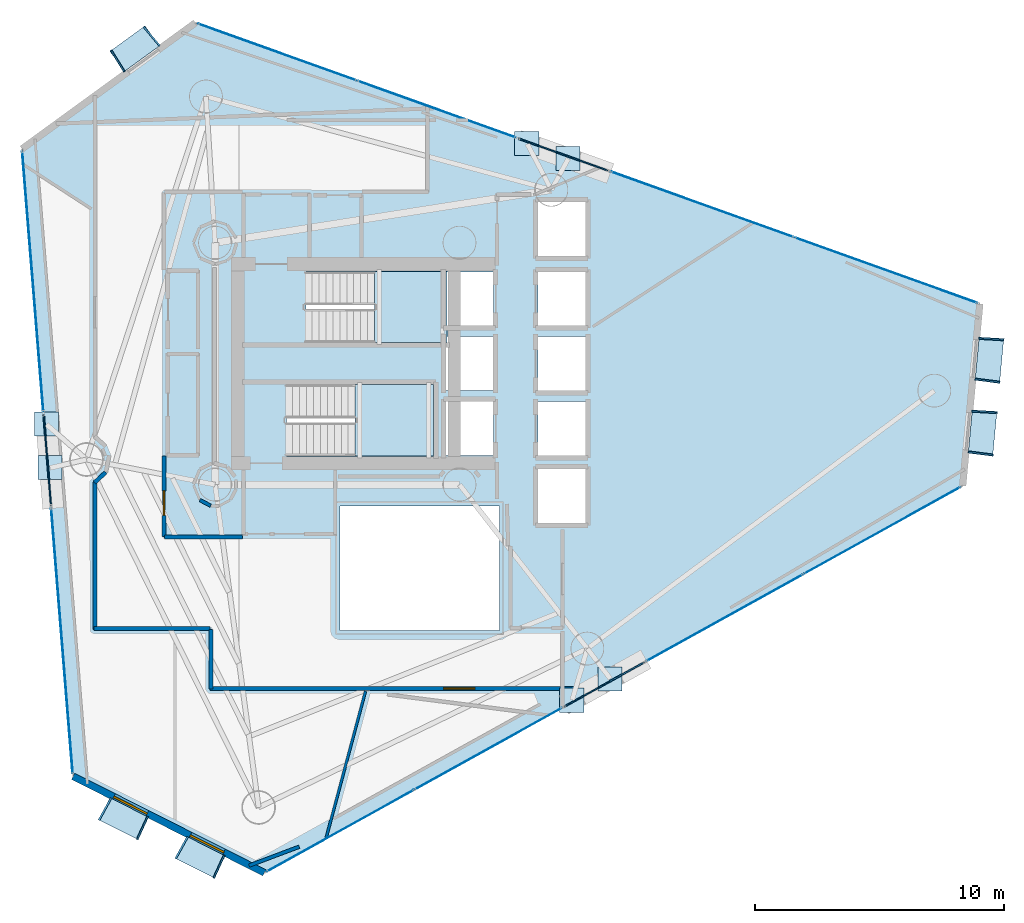
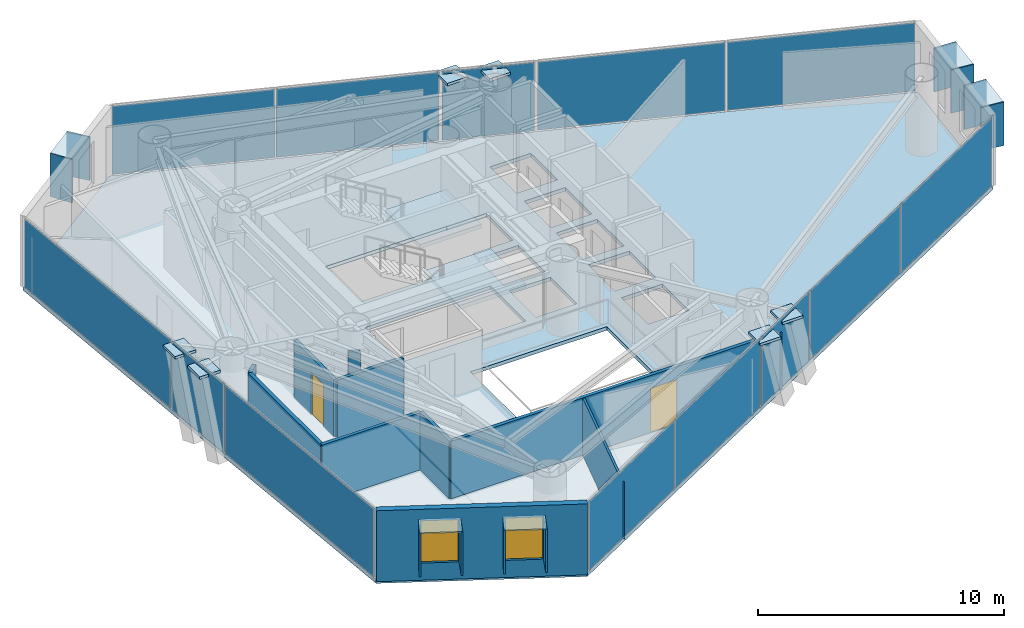
# One storey, part 17 of 21: 34 plates, 11 walls, 3 slabs, 2 doors, 2 windows, 4 openings, 11 elements without a shape of their own.
"""IFC4 building model written with IfcOpenShell, lengths in metres."""

from ifc_helpers import new_model, si_unit, direction, frame, frame_2d, origin, origin_2d, place, context, subcontext, project, spatial, polyline, rectangle, outline, extrude, material, layer, layer_set, type_object, element, fill, aggregate, save


model = new_model("IFC4")

# Units and contexts
model_context = context("Model", 3, precision=1e-05, world=origin(), true_north=direction((0.0, 1.0)))
body_context = subcontext(model_context, "Body", "Model", "MODEL_VIEW")
ifc_project = project(units=[si_unit("LENGTHUNIT", "METRE"), si_unit("AREAUNIT", "SQUARE_METRE"), si_unit("VOLUMEUNIT", "CUBIC_METRE"), si_unit("PLANEANGLEUNIT", "RADIAN"), si_unit("MASSUNIT", "GRAM", prefix="KILO")], contexts=[model_context])

# Site, building, storey
site_placement = place(None, origin())
site = spatial("IfcSite", under=ifc_project, at=site_placement, CompositionType="ELEMENT")
building_placement = place(site_placement, origin())
building = spatial("IfcBuilding", under=site, at=building_placement, Name="Qianvela Tower", CompositionType="ELEMENT")
storey_placement = place(building_placement, frame((0.0, 0.0, 166.10009765625)))
storey = spatial("IfcBuildingStorey", under=building, at=storey_placement, Name="L42", CompositionType="ELEMENT", Elevation=166.10009765625)

# Curtain wall, plate
ifc_material_1 = material(Name="Anodised Architectural Aluminium and Insulated Spandrel Panel", Category="aluminium")
ifc_layer_1 = layer(ifc_material_1, 0.179931640625)
ifc_layer_set_1 = layer_set([ifc_layer_1], Name="Anodised Architectural Aluminium and Insulated Spandrel Panel")
curtain_wall_type_1 = type_object("IfcCurtainWallType", Name="CW-BRACEBAY", PredefinedType="USERDEFINED", material=ifc_layer_set_1)
curtain_wall_1_placement = place(storey_placement, origin())
curtain_wall_1 = element("IfcCurtainWall", 1, at=curtain_wall_1_placement, inside=storey, type_object=curtain_wall_type_1, Name="L42 CW-BRACEBAY Curtain Wall 02B", ObjectType="CURTAIN_WALL_SYSTEM", PredefinedType="USERDEFINED")
ifc_material_2 = material(Name="Insulated Aluminium Spandrel Panel with Mineral-Wool Backpan", Category="aluminium")
ifc_layer_2 = layer(ifc_material_2, 0.06005859375)
ifc_layer_set_2 = layer_set([ifc_layer_2], Name="Insulated Aluminium Spandrel Panel with Mineral-Wool Backpan")
plate_type_1 = type_object("IfcPlateType", Name="CW-BRACEBAY-PNL", PredefinedType="CURTAIN_PANEL", material=ifc_layer_set_2)
plate_1_placement = place(storey_placement, frame((42.560791015625, 37.080078125, 0.06494140625), z_axis=(0.0, 0.0, 1.0), x_axis=(-0.941396582168, 0.337301756713, 0.0)))
plate_1 = element("IfcPlate", 2, at=plate_1_placement, type_object=plate_type_1, Name="CW-9 panel 1.1", PredefinedType="CURTAIN_PANEL", context=body_context, shape_type="SweptSolid", body=[
    extrude(rectangle(XDim=3.800048828125, YDim=0.06005859375, at=origin_2d()), origin(), (0.0, 0.0, 1.0), 3.389892578125),
])
aggregate(curtain_wall_1, [plate_1])

curtain_wall_2_placement = place(storey_placement, origin())
curtain_wall_2 = element("IfcCurtainWall", 3, at=curtain_wall_2_placement, inside=storey, type_object=curtain_wall_type_1, Name="L42 CW-BRACEBAY Curtain Wall 04B", ObjectType="CURTAIN_WALL_SYSTEM", PredefinedType="USERDEFINED")
plate_2_placement = place(storey_placement, frame((21.87646484375, 24.8291015625, 0.06494140625), z_axis=(0.0, 0.0, 1.0), x_axis=(0.080899687757, -0.996722248433, 0.0)))
plate_2 = element("IfcPlate", 4, at=plate_2_placement, type_object=plate_type_1, Name="CW-9 panel 1.1", PredefinedType="CURTAIN_PANEL", context=body_context, shape_type="SweptSolid", body=[
    extrude(rectangle(XDim=3.64990234375, YDim=0.06005859375, at=origin_2d()), origin(), (0.0, 0.0, 1.0), 3.389892578125),
])
aggregate(curtain_wall_2, [plate_2])

curtain_wall_3_placement = place(storey_placement, origin())
curtain_wall_3 = element("IfcCurtainWall", 5, at=curtain_wall_3_placement, inside=storey, type_object=curtain_wall_type_1, Name="L42 CW-BRACEBAY Curtain Wall 06B", ObjectType="CURTAIN_WALL_SYSTEM", PredefinedType="USERDEFINED")
plate_3_placement = place(storey_placement, frame((44.2080078125, 15.840576171875, 0.06494140625), z_axis=(0.0, 0.0, 1.0), x_axis=(0.874670920964, 0.48471721655, 0.0)))
plate_3 = element("IfcPlate", 6, at=plate_3_placement, type_object=plate_type_1, Name="CW-9 panel 1.1", PredefinedType="CURTAIN_PANEL", context=body_context, shape_type="SweptSolid", body=[
    extrude(rectangle(XDim=3.64990234375, YDim=0.06005859375, at=origin_2d()), origin(), (0.0, 0.0, 1.0), 3.389892578125),
])
aggregate(curtain_wall_3, [plate_3])

# Curtain wall, plates
ifc_material_3 = material(Name="Anodised Architectural Aluminium and Low-E Glass", Category="aluminium")
ifc_layer_3 = layer(ifc_material_3, 0.169921875)
ifc_layer_set_3 = layer_set([ifc_layer_3], Name="Anodised Architectural Aluminium and Low-E Glass")
curtain_wall_type_2 = type_object("IfcCurtainWallType", Name="CW-COLIV-Z34", PredefinedType="USERDEFINED", material=ifc_layer_set_3)
curtain_wall_4_placement = place(storey_placement, origin())
curtain_wall_4 = element("IfcCurtainWall", 7, at=curtain_wall_4_placement, inside=storey, type_object=curtain_wall_type_2, Name="L42 CW-COLIV-Z34 Curtain Wall 02A", ObjectType="CURTAIN_WALL_SYSTEM", PredefinedType="USERDEFINED")
ifc_material_4 = material(Name="Double-Silver Low-E Insulated Glass", Category="glass")
ifc_layer_4 = layer(ifc_material_4, 0.028076171875)
ifc_layer_set_4 = layer_set([ifc_layer_4], Name="Double-Silver Low-E Insulated Glass")
plate_type_2 = type_object("IfcPlateType", Name="CW-COLIV-Z34-PNL", PredefinedType="CURTAIN_PANEL", material=ifc_layer_set_4)
plate_4_placement = place(storey_placement, frame((55.494384765625, 32.44580078125, 0.06494140625), z_axis=(0.0, 0.0, 1.0), x_axis=(-0.941393838448, 0.337309414237, 0.0)))
plate_4 = element("IfcPlate", 8, at=plate_4_placement, type_object=plate_type_2, Name="CW-4 panel 1.1", PredefinedType="CURTAIN_PANEL", context=body_context, shape_type="SweptSolid", body=[
    extrude(rectangle(XDim=7.762451171875, YDim=0.028076171875, at=origin_2d()), origin(), (0.0, 0.0, 1.0), 3.389892578125),
])
plate_5_placement = place(storey_placement, frame((48.12548828125, 35.086181640625, 0.06494140625), z_axis=(0.0, 0.0, 1.0), x_axis=(-0.941393838448, 0.337309414237, 0.0)))
plate_5 = element("IfcPlate", 9, at=plate_5_placement, type_object=plate_type_2, Name="CW-4 panel 2.1", PredefinedType="CURTAIN_PANEL", context=body_context, shape_type="SweptSolid", body=[
    extrude(rectangle(XDim=7.762451171875, YDim=0.028076171875, at=origin_2d()), origin(), (0.0, 0.0, 1.0), 3.389892578125),
])
aggregate(curtain_wall_4, [plate_4, plate_5])

curtain_wall_5_placement = place(storey_placement, origin())
curtain_wall_5 = element("IfcCurtainWall", 10, at=curtain_wall_5_placement, inside=storey, type_object=curtain_wall_type_2, Name="L42 CW-COLIV-Z34 Curtain Wall 02C", ObjectType="CURTAIN_WALL_SYSTEM", PredefinedType="USERDEFINED")
plate_6_placement = place(storey_placement, frame((37.4833984375, 38.8994140625, 0.06494140625), z_axis=(0.0, 0.0, 1.0), x_axis=(-0.941393801806, 0.3373095165, 0.0)))
plate_6 = element("IfcPlate", 11, at=plate_6_placement, type_object=plate_type_2, Name="CW-4 panel 1.1", PredefinedType="CURTAIN_PANEL", context=body_context, shape_type="SweptSolid", body=[
    extrude(rectangle(XDim=6.726806640625, YDim=0.028076171875, at=origin_2d()), origin(), (0.0, 0.0, 1.0), 3.389892578125),
])
plate_7_placement = place(storey_placement, frame((31.089599609375, 41.190185546875, 0.06494140625), z_axis=(0.0, 0.0, 1.0), x_axis=(-0.941393801806, 0.3373095165, 0.0)))
plate_7 = element("IfcPlate", 12, at=plate_7_placement, type_object=plate_type_2, Name="CW-4 panel 2.1", PredefinedType="CURTAIN_PANEL", context=body_context, shape_type="SweptSolid", body=[
    extrude(rectangle(XDim=6.726806640625, YDim=0.028076171875, at=origin_2d()), origin(), (0.0, 0.0, 1.0), 3.389892578125),
])
aggregate(curtain_wall_5, [plate_6, plate_7])

# Curtain wall, plate
curtain_wall_6_placement = place(storey_placement, origin())
curtain_wall_6 = element("IfcCurtainWall", 13, at=curtain_wall_6_placement, inside=storey, type_object=curtain_wall_type_2, Name="L42 CW-COLIV-Z34 Curtain Wall 04A", ObjectType="CURTAIN_WALL_SYSTEM", PredefinedType="USERDEFINED")
plate_8_placement = place(storey_placement, frame((21.295654296875, 31.985595703125, 0.06494140625), z_axis=(0.0, 0.0, 1.0), x_axis=(0.080897333058, -0.996722439551, 0.0)))
plate_8 = element("IfcPlate", 14, at=plate_8_placement, type_object=plate_type_2, Name="CW-4 panel 1.1", PredefinedType="CURTAIN_PANEL", context=body_context, shape_type="SweptSolid", body=[
    extrude(rectangle(XDim=10.4501953125, YDim=0.028076171875, at=origin_2d()), origin(), (0.0, 0.0, 1.0), 3.389892578125),
])
aggregate(curtain_wall_6, [plate_8])

curtain_wall_7_placement = place(storey_placement, origin())
curtain_wall_7 = element("IfcCurtainWall", 15, at=curtain_wall_7_placement, inside=storey, type_object=curtain_wall_type_2, Name="L42 CW-COLIV-Z34 Curtain Wall 04C", ObjectType="CURTAIN_WALL_SYSTEM", PredefinedType="USERDEFINED")
plate_9_placement = place(storey_placement, frame((22.465087890625, 17.576171875, 0.06494140625), z_axis=(0.0, 0.0, 1.0), x_axis=(0.080899107215, -0.996722295553, 0.0)))
plate_9 = element("IfcPlate", 16, at=plate_9_placement, type_object=plate_type_2, Name="CW-4 panel 1.1", PredefinedType="CURTAIN_PANEL", context=body_context, shape_type="SweptSolid", body=[
    extrude(rectangle(XDim=10.643798828125, YDim=0.028076171875, at=origin_2d()), origin(), (0.0, 0.0, 1.0), 3.389892578125),
])
aggregate(curtain_wall_7, [plate_9])

# Curtain wall, plates
curtain_wall_8_placement = place(storey_placement, origin())
curtain_wall_8 = element("IfcCurtainWall", 17, at=curtain_wall_8_placement, inside=storey, type_object=curtain_wall_type_2, Name="L42 CW-COLIV-Z34 Curtain Wall 06A", ObjectType="CURTAIN_WALL_SYSTEM", PredefinedType="USERDEFINED")
plate_10_placement = place(storey_placement, frame((33.62109375, 9.9736328125, 0.06494140625), z_axis=(0.0, 0.0, 1.0), x_axis=(0.874678609771, 0.484703341859, 0.0)))
plate_10 = element("IfcPlate", 18, at=plate_10_placement, type_object=plate_type_2, Name="CW-4 panel 1.1", PredefinedType="CURTAIN_PANEL", context=body_context, shape_type="SweptSolid", body=[
    extrude(rectangle(XDim=6.72265625, YDim=0.028076171875, at=origin_2d()), origin(), (0.0, 0.0, 1.0), 3.389892578125),
])
plate_11_placement = place(storey_placement, frame((39.55810546875, 13.263671875, 0.06494140625), z_axis=(0.0, 0.0, 1.0), x_axis=(0.874678609771, 0.484703341859, 0.0)))
plate_11 = element("IfcPlate", 19, at=plate_11_placement, type_object=plate_type_2, Name="CW-4 panel 2.1", PredefinedType="CURTAIN_PANEL", context=body_context, shape_type="SweptSolid", body=[
    extrude(rectangle(XDim=6.72265625, YDim=0.028076171875, at=origin_2d()), origin(), (0.0, 0.0, 1.0), 3.389892578125),
])
aggregate(curtain_wall_8, [plate_10, plate_11])

curtain_wall_9_placement = place(storey_placement, origin())
curtain_wall_9 = element("IfcCurtainWall", 20, at=curtain_wall_9_placement, inside=storey, type_object=curtain_wall_type_2, Name="L42 CW-COLIV-Z34 Curtain Wall 06C", ObjectType="CURTAIN_WALL_SYSTEM", PredefinedType="USERDEFINED")
plate_12_placement = place(storey_placement, frame((49.041259765625, 18.518798828125, 0.06494140625), z_axis=(0.0, 0.0, 1.0), x_axis=(0.874679684299, 0.484701402798, 0.0)))
plate_12 = element("IfcPlate", 21, at=plate_12_placement, type_object=plate_type_2, Name="CW-4 panel 1.1", PredefinedType="CURTAIN_PANEL", context=body_context, shape_type="SweptSolid", body=[
    extrude(rectangle(XDim=7.1416015625, YDim=0.028076171875, at=origin_2d()), origin(), (0.0, 0.0, 1.0), 3.389892578125),
])
plate_13_placement = place(storey_placement, frame((55.3447265625, 22.011962890625, 0.06494140625), z_axis=(0.0, 0.0, 1.0), x_axis=(0.874679684299, 0.484701402798, 0.0)))
plate_13 = element("IfcPlate", 22, at=plate_13_placement, type_object=plate_type_2, Name="CW-4 panel 2.1", PredefinedType="CURTAIN_PANEL", context=body_context, shape_type="SweptSolid", body=[
    extrude(rectangle(XDim=7.1416015625, YDim=0.028076171875, at=origin_2d()), origin(), (0.0, 0.0, 1.0), 3.389892578125),
])
aggregate(curtain_wall_9, [plate_12, plate_13])

# Plates
ifc_material_5 = material(Name="Steel Q420GJC", Category="steel")
ifc_layer_5 = layer(ifc_material_5, 0.1298828125)
ifc_layer_set_5 = layer_set([ifc_layer_5], Name="Steel Q420GJC")
plate_type_3 = type_object("IfcPlateType", Name="PT-ENDCAP-130", PredefinedType="USERDEFINED", material=ifc_layer_set_5)
for number, where, z_axis, x_axis, name in (
    (23, (42.745849609375, 36.9287109375, 3.209228515625), (0.0, 0.0, 1.0), (1.0, 0.0, 0.0), "L42 Hollow Section End Cap Plate B"),
    (24, (41.095947265625, 37.52001953125, 3.209228515625), (0.0, 0.0, 1.0), (1.0, 0.0, 0.0), "L42 Hollow Section End Cap Plate B"),
    (25, (21.83837890625, 26.28515625, 3.2099609375), (0.0, 0.0, 1.0), (1.0, 0.0, 0.0), "L42 Hollow Section End Cap Plate B"),
    (26, (21.980224609375, 24.5380859375, 3.2099609375), (0.0, 0.0, 1.0), (1.0, 0.0, 0.0), "L42 Hollow Section End Cap Plate B"),
    (27, (42.899658203125, 15.206787109375, 3.2099609375), (0.0, 0.0, 1.0), (1.0, 0.0, 0.0), "L42 Hollow Section End Cap Plate B"),
    (28, (44.4326171875, 16.056396484375, 3.2099609375), (0.0, 0.0, 1.0), (1.0, 0.0, 0.0), "L42 Hollow Section End Cap Plate B"),
):
    element("IfcPlate", number, at=place(storey_placement, frame(where, z_axis=z_axis, x_axis=x_axis)), inside=storey, type_object=plate_type_3, Name=name, ObjectType="END_CAP", PredefinedType="USERDEFINED", context=body_context, shape_type="SweptSolid", body=[
        extrude(rectangle(XDim=0.969970703125, YDim=0.969970703125, at=origin_2d()), origin(), (0.0, 0.0, 1.0), 0.1298828125),
    ])

# Slab
ifc_material_6 = material(Name="Concrete C40", Category="concrete")
ifc_layer_6 = layer(ifc_material_6, 0.179931640625)
ifc_layer_set_6 = layer_set([ifc_layer_6], Name="Concrete C40")
slab_type_1 = type_object("IfcSlabType", Name="SL-FLOOR-180", PredefinedType="FLOOR", material=ifc_layer_set_6)
slab_1_placement = place(storey_placement, frame((0.0, 0.0, -0.18017578125)))
element("IfcSlab", 29, at=slab_1_placement, inside=storey, type_object=slab_type_1, Name="L42 Composite Structural Floor Slab", PredefinedType="FLOOR", context=body_context, shape_type="SweptSolid", body=[
    extrude(outline(polyline([(58.568603515625, 23.79833984375), (59.25634765625, 31.097900390625), (27.815185546875, 42.363525390625), (20.863525390625, 37.30810546875), (22.90478515625, 12.156982421875), (30.58056640625, 8.288818359375), (58.568603515625, 23.79833984375)]), holes=[polyline([(40.0, 23.0), (33.60009765625, 23.0), (33.60009765625, 18.0), (40.0, 18.0), (40.0, 23.0)]), polyline([(39.760009765625, 27.179931640625), (37.840087890625, 27.179931640625), (37.840087890625, 25.02001953125), (39.760009765625, 25.02001953125), (39.760009765625, 27.179931640625)]), polyline([(37.35009765625, 27.860107421875), (31.469970703125, 27.860107421875), (31.469970703125, 25.0), (37.35009765625, 25.0), (37.35009765625, 27.860107421875)]), polyline([(37.840087890625, 27.6201171875), (39.760009765625, 27.6201171875), (39.760009765625, 29.780029296875), (37.89990234375, 29.780029296875), (37.89990234375, 30.219970703125), (39.760009765625, 30.219970703125), (39.760009765625, 32.3798828125), (37.89990234375, 32.3798828125), (37.89990234375, 32.39990234375), (32.25, 32.39990234375), (32.25, 29.5400390625), (37.840087890625, 29.5400390625), (37.840087890625, 27.6201171875)]), polyline([(43.4599609375, 22.320068359375), (43.4599609375, 24.47998046875), (41.5400390625, 24.47998046875), (41.5400390625, 22.320068359375), (43.4599609375, 22.320068359375)]), polyline([(43.4599609375, 25.02001953125), (43.4599609375, 27.179931640625), (41.5400390625, 27.179931640625), (41.5400390625, 25.02001953125), (43.4599609375, 25.02001953125)]), polyline([(43.4599609375, 29.780029296875), (41.5400390625, 29.780029296875), (41.5400390625, 27.6201171875), (43.4599609375, 27.6201171875), (43.4599609375, 29.780029296875)]), polyline([(43.4599609375, 30.219970703125), (43.4599609375, 32.3798828125), (41.5400390625, 32.3798828125), (41.5400390625, 30.219970703125), (43.4599609375, 30.219970703125)]), polyline([(43.4599609375, 33.02001953125), (43.4599609375, 35.179931640625), (41.5400390625, 35.179931640625), (41.5400390625, 33.02001953125), (43.4599609375, 33.02001953125)])]), origin(), (0.0, 0.0, 1.0), 0.18017578125),
])

# Stair, slab
ifc_material_7 = material(Name="Concrete C40", Category="concrete")
stair_type = type_object("IfcStairType", Name="ST-DOGLEG-1350-R168-N22", PredefinedType="HALF_TURN_STAIR", material=ifc_material_7)
stair_1_placement = place(storey_placement, origin())
stair_1 = element("IfcStair", 30, at=stair_1_placement, inside=storey, type_object=stair_type, Name="L42 Smoke-Proof Core Stair ST-1", PredefinedType="HALF_TURN_STAIR")
ifc_material_8 = material(Name="Concrete C40", Category="concrete")
ifc_layer_7 = layer(ifc_material_8, 0.199951171875)
ifc_layer_set_7 = layer_set([ifc_layer_7], Name="Concrete C40")
slab_type_2 = type_object("IfcSlabType", Name="SL-STAIR-LANDING-200", PredefinedType="LANDING", material=ifc_layer_set_7)
slab_2_placement = place(storey_placement, frame((0.0, 0.0, 1.64990234375)))
slab_2 = element("IfcSlab", 31, at=slab_2_placement, type_object=slab_type_2, Name="ST-1 landing 1", PredefinedType="LANDING", context=body_context, shape_type="SweptSolid", body=[
    extrude(outline(polyline([(35.0, 29.5400390625), (37.89990234375, 29.5400390625), (37.89990234375, 32.39990234375), (35.0, 32.39990234375), (35.0, 29.5400390625)])), origin(), (0.0, 0.0, 1.0), 0.199951171875),
])
aggregate(stair_1, [slab_2])

stair_2_placement = place(storey_placement, origin())
stair_2 = element("IfcStair", 32, at=stair_2_placement, inside=storey, type_object=stair_type, Name="L42 Smoke-Proof Core Stair ST-2", PredefinedType="HALF_TURN_STAIR")
slab_3_placement = place(storey_placement, frame((0.0, 0.0, 1.64990234375)))
slab_3 = element("IfcSlab", 33, at=slab_3_placement, type_object=slab_type_2, Name="ST-2 landing 1", PredefinedType="LANDING", context=body_context, shape_type="SweptSolid", body=[
    extrude(outline(polyline([(34.219970703125, 25.0), (37.35009765625, 25.0), (37.35009765625, 27.860107421875), (34.219970703125, 27.860107421875), (34.219970703125, 25.0)])), origin(), (0.0, 0.0, 1.0), 0.199951171875),
])
aggregate(stair_2, [slab_3])

# Plates
ifc_material_9 = material(Name="Vitrified Architectural Terracotta Panel", Category="masonry")
ifc_layer_8 = layer(ifc_material_9, 0.06005859375)
ifc_layer_set_8 = layer_set([ifc_layer_8], Name="Vitrified Architectural Terracotta Panel")
plate_type_4 = type_object("IfcPlateType", Name="TERRACOTTA-SUNSHADE-HOOD-FOLD-A", PredefinedType="USERDEFINED", material=ifc_layer_set_8)
plate_14_placement = place(storey_placement, frame((25.379638671875, 41.328125, 2.9599609375), z_axis=(0.0, 0.0, 1.0), x_axis=(-0.80874915608, -0.588153723562, 0.0)))
element("IfcPlate", 34, at=plate_14_placement, inside=storey, type_object=plate_type_4, Name="L42 Terracotta Sunshade Hood FOLD-A", ObjectType="SUNSHADE", PredefinedType="USERDEFINED", context=body_context, shape_type="SweptSolid", body=[
    extrude(rectangle(XDim=1.739990234375, YDim=0.989990234375, at=origin_2d()), origin(), (0.0, 0.0, 1.0), 0.06005859375),
])
ifc_material_10 = material(Name="Vitrified Architectural Terracotta Panel", Category="masonry")
ifc_layer_9 = layer(ifc_material_10, 0.070068359375)
ifc_layer_set_9 = layer_set([ifc_layer_9], Name="Vitrified Architectural Terracotta Panel")
plate_type_5 = type_object("IfcPlateType", Name="TERRACOTTA-SUNSHADE-HOOD-FOLD-C", PredefinedType="USERDEFINED", material=ifc_layer_set_9)
for number, where, z_axis, x_axis, name in (
    (35, (59.3671875, 25.932373046875, 2.9599609375), (0.0, 0.0, 1.0), (0.093821608156, 0.995589024569, 0.0), "L42 Terracotta Sunshade Hood FOLD-C"),
    (36, (59.642333984375, 28.852294921875, 2.9599609375), (0.0, 0.0, 1.0), (0.093821608156, 0.995589024569, 0.0), "L42 Terracotta Sunshade Hood FOLD-C"),
    (37, (24.939697265625, 10.465087890625, 2.9599609375), (0.0, 0.0, 1.0), (0.893010364034, -0.45003609825, 0.0), "L42 Terracotta Sunshade Hood FOLD-C"),
    (38, (28.010009765625, 8.91796875, 2.9599609375), (0.0, 0.0, 1.0), (0.893010364034, -0.45003609825, 0.0), "L42 Terracotta Sunshade Hood FOLD-C"),
):
    element("IfcPlate", number, at=place(storey_placement, frame(where, z_axis=z_axis, x_axis=x_axis)), inside=storey, type_object=plate_type_5, Name=name, ObjectType="SUNSHADE", PredefinedType="USERDEFINED", context=body_context, shape_type="SweptSolid", body=[
        extrude(rectangle(XDim=1.739990234375, YDim=0.989990234375, at=origin_2d()), origin(), (0.0, 0.0, 1.0), 0.06005859375),
    ])
ifc_material_11 = material(Name="Vitrified Architectural Terracotta Side Fin Panel", Category="masonry")
ifc_layer_10 = layer(ifc_material_11, 0.06494140625)
ifc_layer_set_10 = layer_set([ifc_layer_10], Name="Vitrified Architectural Terracotta Side Fin Panel")
plate_type_6 = type_object("IfcPlateType", Name="TERRACOTTA-SUNSHADE-STRUT-FOLD-A", PredefinedType="USERDEFINED", material=ifc_layer_set_10)
for number, where, z_axis, x_axis, name in (
    (39, (26.05908203125, 41.822265625, 0.85009765625), (0.0, 0.0, 1.0), (-0.765751554008, -0.643136499924, 0.0), "L42 Terracotta Sunshade Side Fin HL FOLD-A"),
    (40, (24.7001953125, 40.833984375, 0.85009765625), (0.0, 0.0, 1.0), (-0.847806613558, -0.53030552138, 0.0), "L42 Terracotta Sunshade Side Fin HR FOLD-A"),
):
    element("IfcPlate", number, at=place(storey_placement, frame(where, z_axis=z_axis, x_axis=x_axis)), inside=storey, type_object=plate_type_6, Name=name, ObjectType="SUNSHADE", PredefinedType="USERDEFINED", context=body_context, shape_type="SweptSolid", body=[
        extrude(rectangle(XDim=0.06494140625, YDim=1.010009765625, at=origin_2d()), origin(), (0.0, 0.0, 1.0), 2.159912109375),
    ])
ifc_material_12 = material(Name="Vitrified Architectural Terracotta Side Fin Panel", Category="masonry")
ifc_layer_11 = layer(ifc_material_12, 0.074951171875)
ifc_layer_set_11 = layer_set([ifc_layer_11], Name="Vitrified Architectural Terracotta Side Fin Panel")
plate_type_7 = type_object("IfcPlateType", Name="TERRACOTTA-SUNSHADE-STRUT-FOLD-C", PredefinedType="USERDEFINED", material=ifc_layer_set_11)
for number, where, z_axis, x_axis, name in (
    (41, (59.288330078125, 25.09619140625, 0.85009765625), (0.0, 0.0, 1.0), (0.128510010447, 0.991708211731, 0.0), "L42 Terracotta Sunshade Side Fin HL FOLD-C"),
    (42, (59.446044921875, 26.768798828125, 0.85009765625), (0.0, 0.0, 1.0), (0.059018898687, 0.99825686554, 0.0), "L42 Terracotta Sunshade Side Fin HR FOLD-C"),
    (43, (59.563720703125, 28.015869140625, 0.85009765625), (0.0, 0.0, 1.0), (0.128510010447, 0.991708211731, 0.0), "L42 Terracotta Sunshade Side Fin HL FOLD-C"),
    (44, (59.72119140625, 29.6884765625, 0.85009765625), (0.0, 0.0, 1.0), (0.059018898687, 0.99825686554, 0.0), "L42 Terracotta Sunshade Side Fin HR FOLD-C"),
    (45, (24.189697265625, 10.84326171875, 0.85009765625), (0.0, 0.0, 1.0), (0.876760332922, -0.480927560673, 0.0), "L42 Terracotta Sunshade Side Fin HL FOLD-C"),
    (46, (25.68994140625, 10.087158203125, 0.85009765625), (0.0, 0.0, 1.0), (0.908172399575, -0.418596336163, 0.0), "L42 Terracotta Sunshade Side Fin HR FOLD-C"),
    (47, (27.260009765625, 9.2958984375, 0.85009765625), (0.0, 0.0, 1.0), (0.876760332922, -0.480927560673, 0.0), "L42 Terracotta Sunshade Side Fin HL FOLD-C"),
    (48, (28.76025390625, 8.539794921875, 0.85009765625), (0.0, 0.0, 1.0), (0.908172399575, -0.418596336163, 0.0), "L42 Terracotta Sunshade Side Fin HR FOLD-C"),
):
    element("IfcPlate", number, at=place(storey_placement, frame(where, z_axis=z_axis, x_axis=x_axis)), inside=storey, type_object=plate_type_7, Name=name, ObjectType="SUNSHADE", PredefinedType="USERDEFINED", context=body_context, shape_type="SweptSolid", body=[
        extrude(rectangle(XDim=0.074951171875, YDim=1.010009765625, at=origin_2d()), origin(), (0.0, 0.0, 1.0), 2.159912109375),
    ])

# Wall, openings, windows
ifc_material_13 = material(Name="Terracotta Cladding on Concrete C40", Category="masonry")
ifc_layer_12 = layer(ifc_material_13, 0.280029296875)
ifc_layer_set_12 = layer_set([ifc_layer_12], Name="Terracotta Cladding on Concrete C40")
wall_type_1 = type_object("IfcWallType", Name="TERRACOTTA-WALL-280", PredefinedType="SOLIDWALL", material=ifc_layer_set_12)
wall_1_placement = place(storey_placement, frame((22.90478515625, 12.156982421875, 0.0), z_axis=(0.0, 0.0, 1.0), x_axis=(0.893013926819, -0.450029028515, 0.0)))
wall_1 = element("IfcWall", 49, at=wall_1_placement, inside=storey, type_object=wall_type_1, Name="L42 Terracotta Chamfer Facet Wall 5", PredefinedType="SOLIDWALL", context=body_context, shape_type="SweptSolid", body=[
    extrude(rectangle(XDim=8.595458984375, YDim=0.280029296875, at=frame_2d((4.2978515625, 0.0))), origin(), (0.0, 0.0, 1.0), 3.52001953125),
])
opening_1_placement = place(wall_1_placement, frame((1.82861328125, 0.0, 0.85009765625)))
opening_1 = element("IfcOpeningElement", 50, at=opening_1_placement, cuts=wall_1, Name="Opening W-02", PredefinedType="OPENING", context=body_context, shape_type="SweptSolid", body=[
    extrude(rectangle(XDim=1.5, YDim=2.10009765625, at=frame_2d((0.75, 1.050048828125))), frame((0.0, 0.14990234375, 0.0), z_axis=(0.0, -1.0, 0.0), x_axis=(1.0, 0.0, 0.0)), (0.0, 0.0, 1.0), 0.300048828125),
])
opening_2_placement = place(wall_1_placement, frame((5.2666015625, 0.0, 0.85009765625)))
opening_2 = element("IfcOpeningElement", 51, at=opening_2_placement, cuts=wall_1, Name="Opening W-02", PredefinedType="OPENING", context=body_context, shape_type="SweptSolid", body=[
    extrude(rectangle(XDim=1.5, YDim=2.10009765625, at=frame_2d((0.75, 1.050048828125))), frame((0.0, 0.14990234375, 0.0), z_axis=(0.0, -1.0, 0.0), x_axis=(1.0, 0.0, 0.0)), (0.0, 0.0, 1.0), 0.300048828125),
])
ifc_material_14 = material(Name="Thermally Broken Aluminium and Low-E Glass", Category="aluminium")
window_type = type_object("IfcWindowType", Name="WIN-TC-1500x2100", PartitioningType="DOUBLE_PANEL_VERTICAL", PredefinedType="WINDOW", material=ifc_material_14)
window_1_placement = place(opening_1_placement, origin())
window_1 = element("IfcWindow", 52, at=window_1_placement, inside=storey, type_object=window_type, Name="L42 Chamfer Facet Window 5.1", OverallHeight=2.10009765625, OverallWidth=1.5, PartitioningType="SINGLE_PANEL", PredefinedType="WINDOW", context=body_context, shape_type="SweptSolid", body=[
    extrude(rectangle(XDim=1.5, YDim=2.10009765625, at=frame_2d((0.75, 1.050048828125))), frame((0.0, 0.030029296875, 0.0), z_axis=(0.0, -1.0, 0.0), x_axis=(1.0, 0.0, 0.0)), (0.0, 0.0, 1.0), 0.06005859375),
])
fill(opening_1, window_1)
window_2_placement = place(opening_2_placement, origin())
window_2 = element("IfcWindow", 53, at=window_2_placement, inside=storey, type_object=window_type, Name="L42 Chamfer Facet Window 5.2", OverallHeight=2.10009765625, OverallWidth=1.5, PartitioningType="SINGLE_PANEL", PredefinedType="WINDOW", context=body_context, shape_type="SweptSolid", body=[
    extrude(rectangle(XDim=1.5, YDim=2.10009765625, at=frame_2d((0.75, 1.050048828125))), frame((0.0, 0.030029296875, 0.0), z_axis=(0.0, -1.0, 0.0), x_axis=(1.0, 0.0, 0.0)), (0.0, 0.0, 1.0), 0.06005859375),
])
fill(opening_2, window_2)

# Wall, opening, door
ifc_material_15 = material(Name="Fire-Rated Gypsum and Concrete Block", Category="concrete")
ifc_layer_13 = layer(ifc_material_15, 0.159912109375)
ifc_layer_set_13 = layer_set([ifc_layer_13], Name="Fire-Rated Gypsum and Concrete Block")
wall_type_2 = type_object("IfcWallType", Name="WT-CORR-160", PredefinedType="PARTITIONING", material=ifc_layer_set_13)
wall_2_placement = place(storey_placement, frame((26.549072265625, 25.0, 0.0), z_axis=(0.0, 0.0, 1.0), x_axis=(0.0, -1.0, 0.0)))
wall_2 = element("IfcWall", 54, at=wall_2_placement, inside=storey, type_object=wall_type_2, Name="L42 Partition 53 seg 3", PredefinedType="PARTITIONING", context=body_context, shape_type="SweptSolid", body=[
    extrude(rectangle(XDim=3.219970703125, YDim=0.159912109375, at=frame_2d((1.60986328125, 0.0))), origin(), (0.0, 0.0, 1.0), 2.83984375),
])
opening_3_placement = place(wall_2_placement, frame((1.39990234375, 0.0, 0.0)))
opening_3 = element("IfcOpeningElement", 55, at=opening_3_placement, cuts=wall_2, Name="Opening D-RM1", PredefinedType="OPENING", context=body_context, shape_type="SweptSolid", body=[
    extrude(rectangle(XDim=0.97998046875, YDim=2.10009765625, at=frame_2d((0.489990234375, 1.050048828125))), frame((0.0, 0.08984375, 0.0), z_axis=(0.0, -1.0, 0.0), x_axis=(1.0, 0.0, 0.0)), (0.0, 0.0, 1.0), 0.179931640625),
])
ifc_material_16 = material(Name="Solid Core Acoustic Timber Fire Door", Category="wood")
door_type_1 = type_object("IfcDoorType", Name="DT-ROOM-FD60", OperationType="NOTDEFINED", PredefinedType="DOOR", material=ifc_material_16)
door_1_placement = place(opening_3_placement, origin())
door_1 = element("IfcDoor", 56, at=door_1_placement, inside=storey, type_object=door_type_1, Name="L42 Door Campus Wellness Pharmacy L42-05 to L42 Floor Corridor", OperationType="SINGLE_SWING_LEFT", OverallHeight=2.10009765625, OverallWidth=0.97998046875, PredefinedType="DOOR", context=body_context, shape_type="SweptSolid", body=[
    extrude(rectangle(XDim=0.97998046875, YDim=2.10009765625, at=frame_2d((0.489990234375, 1.050048828125))), frame((0.0, 0.02490234375, 0.0), z_axis=(0.0, -1.0, 0.0), x_axis=(1.0, 0.0, 0.0)), (0.0, 0.0, 1.0), 0.050048828125),
])
fill(opening_3, door_1)

# Wall
wall_3_placement = place(storey_placement, frame((26.580078125, 21.7490234375, 0.0), z_axis=(0.0, 0.0, 1.0), x_axis=(1.0, 0.0, 0.0)))
element("IfcWall", 57, at=wall_3_placement, inside=storey, type_object=wall_type_2, Name="L42 Partition 54 seg 1", PredefinedType="PARTITIONING", context=body_context, shape_type="SweptSolid", body=[
    extrude(rectangle(XDim=3.119873046875, YDim=0.159912109375, at=frame_2d((1.56005859375, 0.0))), origin(), (0.0, 0.0, 1.0), 2.83984375),
])

# Wall, opening, door
wall_4_placement = place(storey_placement, frame((43.940185546875, 15.680908203125, 0.0), z_axis=(0.0, 0.0, 1.0), x_axis=(-1.0, 0.0, 0.0)))
wall_4 = element("IfcWall", 58, at=wall_4_placement, inside=storey, type_object=wall_type_2, Name="L42 Partition 57", PredefinedType="PARTITIONING", context=body_context, shape_type="SweptSolid", body=[
    extrude(rectangle(XDim=15.540283203125, YDim=0.159912109375, at=frame_2d((7.77001953125, 0.0))), origin(), (0.0, 0.0, 1.0), 2.83984375),
])
opening_4_placement = place(wall_4_placement, frame((4.924560546875, 0.0, 0.0)))
opening_4 = element("IfcOpeningElement", 59, at=opening_4_placement, cuts=wall_4, Name="Opening D-LG1", PredefinedType="OPENING", context=body_context, shape_type="SweptSolid", body=[
    extrude(rectangle(XDim=1.25, YDim=2.199951171875, at=frame_2d((0.625, 1.10009765625))), frame((0.0, 0.08984375, 0.0), z_axis=(0.0, -1.0, 0.0), x_axis=(1.0, 0.0, 0.0)), (0.0, 0.0, 1.0), 0.179931640625),
])
ifc_material_17 = material(Name="Anodised Aluminium Acoustic Glass Door", Category="aluminium")
door_type_2 = type_object("IfcDoorType", Name="DT-LOUNGE-1250", OperationType="NOTDEFINED", PredefinedType="DOOR", material=ifc_material_17)
door_2_placement = place(opening_4_placement, origin())
door_2 = element("IfcDoor", 60, at=door_2_placement, inside=storey, type_object=door_type_2, Name="L42 Door Tutorial Breakout Seminar L42-02 to L42 Floor Corridor", OperationType="SINGLE_SWING_LEFT", OverallHeight=2.199951171875, OverallWidth=1.25, PredefinedType="DOOR", context=body_context, shape_type="SweptSolid", body=[
    extrude(rectangle(XDim=1.25, YDim=2.199951171875, at=frame_2d((0.625, 1.10009765625))), frame((0.0, 0.02490234375, 0.0), z_axis=(0.0, -1.0, 0.0), x_axis=(1.0, 0.0, 0.0)), (0.0, 0.0, 1.0), 0.050048828125),
])
fill(opening_4, door_2)

# Walls
wall_5_placement = place(storey_placement, frame((28.430908203125, 15.64990234375, 0.0), z_axis=(0.0, 0.0, 1.0), x_axis=(0.0, 1.0, 0.0)))
element("IfcWall", 61, at=wall_5_placement, inside=storey, type_object=wall_type_2, Name="L42 Partition 58", PredefinedType="PARTITIONING", context=body_context, shape_type="SweptSolid", body=[
    extrude(rectangle(XDim=2.400146484375, YDim=0.159912109375, at=frame_2d((1.2001953125, 0.0))), origin(), (0.0, 0.0, 1.0), 2.83984375),
])
wall_6_placement = place(storey_placement, frame((28.39990234375, 18.0810546875, 0.0), z_axis=(0.0, 0.0, 1.0), x_axis=(-1.0, 0.0, 0.0)))
element("IfcWall", 62, at=wall_6_placement, inside=storey, type_object=wall_type_2, Name="L42 Partition 59", PredefinedType="PARTITIONING", context=body_context, shape_type="SweptSolid", body=[
    extrude(rectangle(XDim=4.64990234375, YDim=0.159912109375, at=frame_2d((2.324951171875, 0.0))), origin(), (0.0, 0.0, 1.0), 2.83984375),
])
wall_7_placement = place(storey_placement, frame((23.781005859375, 18.050048828125, 0.0), z_axis=(0.0, 0.0, 1.0), x_axis=(0.0, 1.0, 0.0)))
element("IfcWall", 63, at=wall_7_placement, inside=storey, type_object=wall_type_2, Name="L42 Partition 60", PredefinedType="PARTITIONING", context=body_context, shape_type="SweptSolid", body=[
    extrude(rectangle(XDim=5.90625, YDim=0.159912109375, at=frame_2d((2.953125, 0.0))), origin(), (0.0, 0.0, 1.0), 2.83984375),
])
wall_8_placement = place(storey_placement, frame((23.77099609375, 23.93359375, 0.0), z_axis=(0.0, 0.0, 1.0), x_axis=(0.735475561179, 0.677551251868, 0.0)))
element("IfcWall", 64, at=wall_8_placement, inside=storey, type_object=wall_type_2, Name="L42 Partition 61", PredefinedType="PARTITIONING", context=body_context, shape_type="SweptSolid", body=[
    extrude(rectangle(XDim=0.598388671875, YDim=0.159912109375, at=frame_2d((0.29931640625, 0.0))), origin(), (0.0, 0.0, 1.0), 2.83984375),
])
ifc_material_18 = material(Name="Lightweight Gypsum Room Partition")
ifc_layer_14 = layer(ifc_material_18, 0.10498046875)
ifc_layer_set_14 = layer_set([ifc_layer_14], Name="Lightweight Gypsum Room Partition")
wall_type_3 = type_object("IfcWallType", Name="WT-PART-105", PredefinedType="PARTITIONING", material=ifc_layer_set_14)
wall_9_placement = place(storey_placement, frame((34.6318359375, 15.577880859375, 0.0), z_axis=(0.0, 0.0, 1.0), x_axis=(-0.258840546479, -0.965920064756, 0.0)))
element("IfcWall", 65, at=wall_9_placement, inside=storey, type_object=wall_type_3, Name="L42 Partition 73", PredefinedType="PARTITIONING", context=body_context, shape_type="SweptSolid", body=[
    extrude(rectangle(XDim=6.152587890625, YDim=0.10498046875, at=frame_2d((3.076171875, 0.0))), origin(), (0.0, 0.0, 1.0), 2.83984375),
])
ifc_material_19 = material(Name="Acoustic Double Gypsum Stud Partition")
ifc_layer_15 = layer(ifc_material_19, 0.139892578125)
ifc_layer_set_15 = layer_set([ifc_layer_15], Name="Acoustic Double Gypsum Stud Partition")
wall_type_4 = type_object("IfcWallType", Name="WT-ROOM-140", PredefinedType="PARTITIONING", material=ifc_layer_set_15)
wall_10_placement = place(storey_placement, frame((31.9736328125, 9.335205078125, 0.0), z_axis=(0.0, 0.0, 1.0), x_axis=(-0.935728716605, -0.352720525234, 0.0)))
element("IfcWall", 66, at=wall_10_placement, inside=storey, type_object=wall_type_4, Name="L42 Partition 74 seg 1", PredefinedType="PARTITIONING", context=body_context, shape_type="SweptSolid", body=[
    extrude(rectangle(XDim=2.1435546875, YDim=0.139892578125, at=frame_2d((1.07177734375, 0.0))), origin(), (0.0, 0.0, 1.0), 2.83984375),
])
wall_11_placement = place(storey_placement, frame((27.9951171875, 23.232177734375, 0.0), z_axis=(0.0, 0.0, 1.0), x_axis=(0.88190639713, -0.471424550379, 0.0)))
element("IfcWall", 67, at=wall_11_placement, inside=storey, type_object=wall_type_4, Name="L42 Partition 125", PredefinedType="PARTITIONING", context=body_context, shape_type="SweptSolid", body=[
    extrude(rectangle(XDim=0.484619140625, YDim=0.139892578125, at=frame_2d((0.2421875, 0.0))), origin(), (0.0, 0.0, 1.0), 2.83984375),
])

save(model, "model.ifc")
